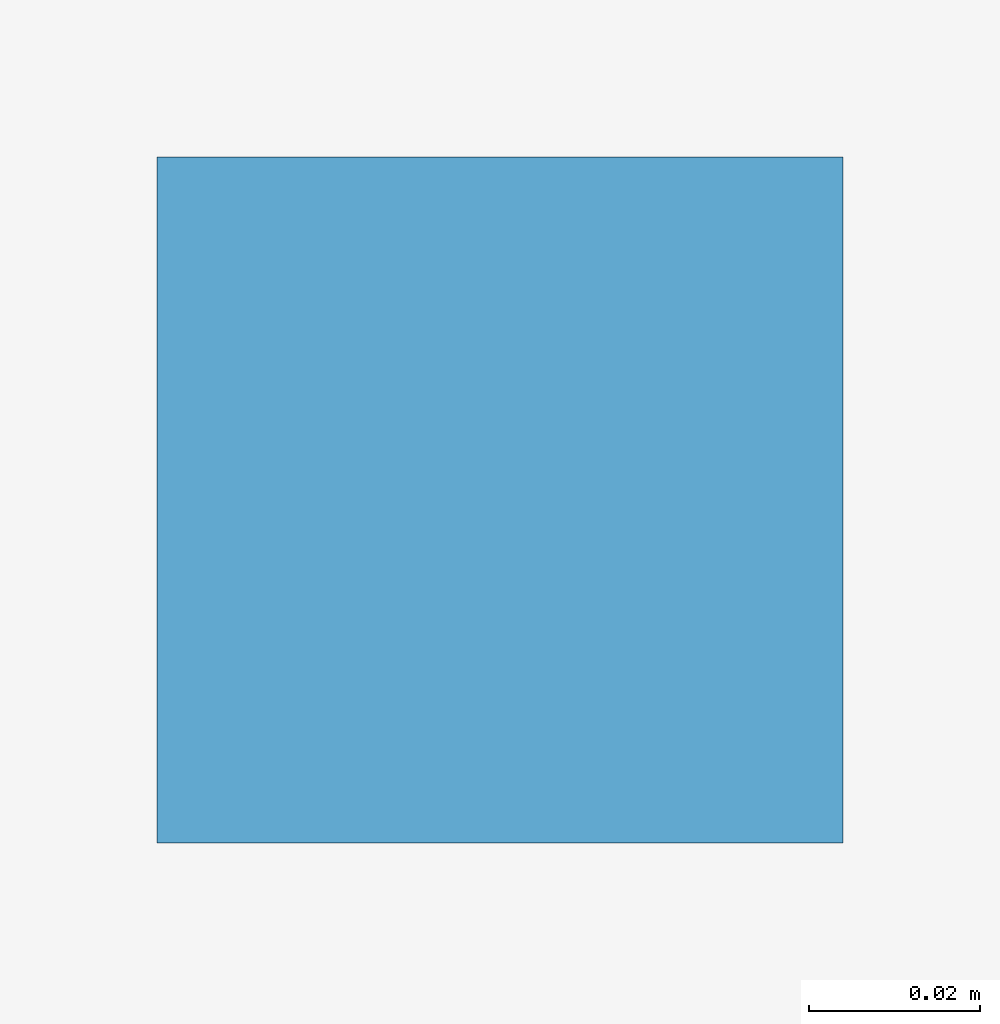
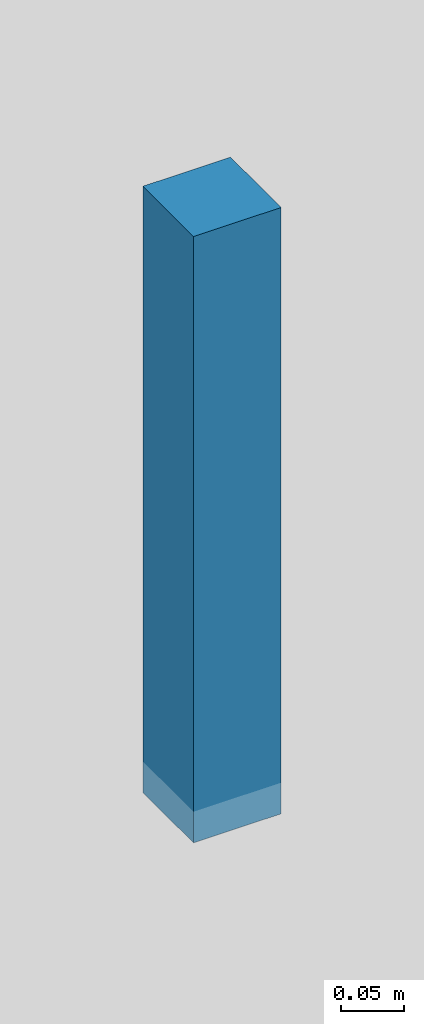
# One storey, part 11 of 15: 1 discrete accessory.
"""IFC4 building model written with IfcOpenShell, lengths in metres."""

from ifc_helpers import new_model, si_unit, direction, frame, origin, origin_2d, place, context, subcontext, project, spatial, rectangle, extrude, source, transform, mapped, material, type_object, element, save


model = new_model("IFC4")

# Units and contexts
model_context = context("Model", 3, precision=1e-05, world=origin(), true_north=direction((0.0, 1.0)))
body_context = subcontext(model_context, "Body", "Model", "MODEL_VIEW")
ifc_project = project(units=[si_unit("LENGTHUNIT", "METRE"), si_unit("AREAUNIT", "SQUARE_METRE"), si_unit("VOLUMEUNIT", "CUBIC_METRE"), si_unit("PLANEANGLEUNIT", "RADIAN"), si_unit("MASSUNIT", "GRAM", prefix="KILO")], contexts=[model_context])

# Site, building, storey
site_placement = place(None, origin())
site = spatial("IfcSite", under=ifc_project, at=site_placement, CompositionType="ELEMENT")
building_placement = place(site_placement, origin())
building = spatial("IfcBuilding", under=site, at=building_placement, Name="Giltprow Tower", CompositionType="ELEMENT")
storey_placement = place(building_placement, frame((0.0, 0.0, 297.199951171875)))
storey = spatial("IfcBuildingStorey", under=building, at=storey_placement, Name="L76", CompositionType="ELEMENT", Elevation=297.199951171875)

# Discrete accessory
ifc_material = material(Name="Structural steel Q355B", Category="steel")
discrete_accessory_type = type_object("IfcDiscreteAccessoryType", Name="ACC-CLG-HANGER", PredefinedType="BRACKET", material=ifc_material)
shared_shape = source(origin(), body_context, "Body", "SweptSolid", [
    extrude(rectangle(XDim=0.080078125, YDim=0.080078125, at=origin_2d()), origin(), (0.0, 0.0, 1.0), 0.5849609375),
])
discrete_accessory_placement = place(storey_placement, frame((35.0, 35.77490234375, 2.61962890625), z_axis=(0.0, 0.0, 1.0), x_axis=(1.0, 0.0, 0.0)))
element("IfcDiscreteAccessory", 1, at=discrete_accessory_placement, inside=storey, type_object=discrete_accessory_type, Name="L76 Residence Gallery Ceiling Suspension Hanger", PredefinedType="BRACKET", context=body_context, shape_type="MappedRepresentation", body=[
    mapped(shared_shape, transform((0.0, 0.0, 0.0), x_axis=(1.0, 0.0, 0.0), y_axis=(0.0, 1.0, 0.0), z_axis=(0.0, 0.0, 1.0), scale=1.0)),
])

save(model, "model.ifc")
